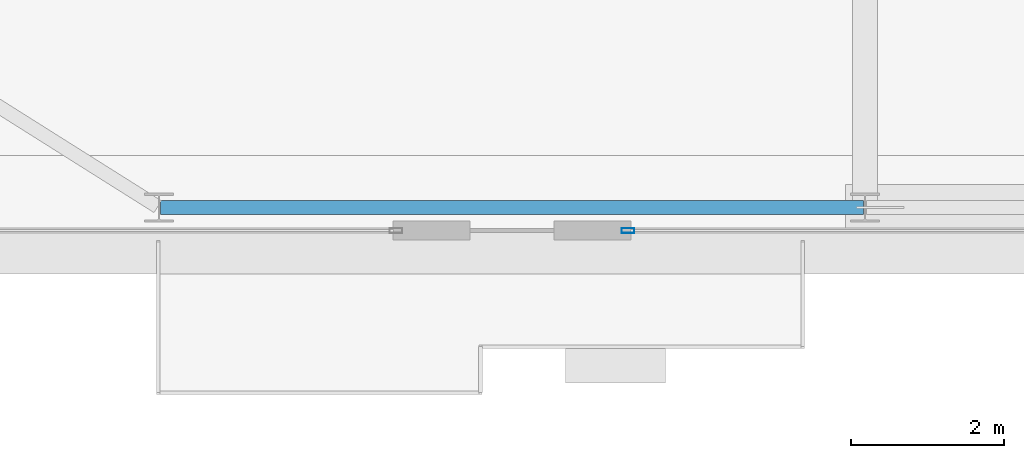
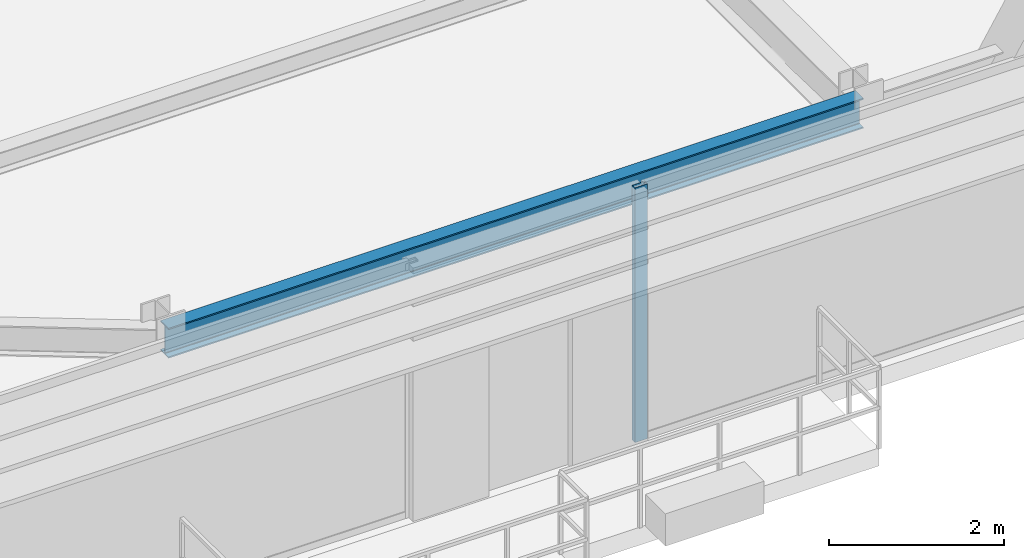
# One storey, part 6 of 34: 1 beam, 1 member, 1 element without a shape of its own.
"""IFC4 building model written with IfcOpenShell, lengths in metres."""

from ifc_helpers import new_model, si_unit, direction, frame, origin, origin_2d, place, context, subcontext, project, spatial, hollow_rectangle, i_section, extrude, source, transform, mapped, material, layer, layer_set, material_profile, profile_set, type_object, type_shapes, element, aggregate, save


model = new_model("IFC4")

# Units and contexts
model_context = context("Model", 3, precision=1e-05, world=origin(), true_north=direction((0.0, 1.0)))
body_context = subcontext(model_context, "Body", "Model", "MODEL_VIEW")
ifc_project = project(units=[si_unit("LENGTHUNIT", "METRE"), si_unit("AREAUNIT", "SQUARE_METRE"), si_unit("VOLUMEUNIT", "CUBIC_METRE"), si_unit("PLANEANGLEUNIT", "RADIAN"), si_unit("MASSUNIT", "GRAM", prefix="KILO")], contexts=[model_context])

# Site, building, storey
site_placement = place(None, origin())
site = spatial("IfcSite", under=ifc_project, at=site_placement, CompositionType="ELEMENT")
building_placement = place(site_placement, origin())
building = spatial("IfcBuilding", under=site, at=building_placement, Name="Varnel Quay Broadcast Tower", CompositionType="ELEMENT")
storey_placement = place(building_placement, frame((0.0, 0.0, 161.0)))
storey = spatial("IfcBuildingStorey", under=building, at=storey_placement, Name="L39", CompositionType="ELEMENT", Elevation=161.0)

# Beam
ifc_material_1 = material(Name="Structural Steel CSA G40.21 350W", Category="steel")
ifc_material_profile_1 = material_profile(ifc_material_1, i_section(OverallWidth=0.180908203125, OverallDepth=0.4169921875, WebThickness=0.010986328125, FlangeThickness=0.018310546875, FilletRadius=0.011962890625, at=origin_2d()), Name="W410X85")
ifc_profile_set_1 = profile_set([ifc_material_profile_1], Name="Structural Steel CSA G40.21 350W")
beam_type = type_object("IfcBeamType", Name="Beam_W410X85", PredefinedType="SPANDREL", material=ifc_profile_set_1)
shared_shape_1 = source(origin(), body_context, "Body", "SweptSolid", [
    extrude(i_section(OverallWidth=0.180908203125, OverallDepth=0.4169921875, WebThickness=0.010986328125, FlangeThickness=0.018310546875, FilletRadius=0.011962890625, at=origin_2d()), origin(), (0.0, 0.0, 1.0), 9.159912109375),
])
type_shapes(beam_type, [shared_shape_1])
beam_placement = place(storey_placement, frame((15.6201171875, 7.64990234375, 3.341552734375), z_axis=(1.0, 0.0, 0.0), x_axis=(0.0, 1.0, 0.0)))
element("IfcBeam", 1, at=beam_placement, inside=storey, type_object=beam_type, Name="L39 South Spandrel TC-S1-TC-S2", PredefinedType="SPANDREL", context=body_context, shape_type="MappedRepresentation", body=[
    mapped(shared_shape_1, transform((0.0, 0.0, 0.0), x_axis=(1.0, 0.0, 0.0), y_axis=(0.0, 1.0, 0.0), z_axis=(0.0, 0.0, 1.0), scale=1.0)),
])

# Curtain wall, member
ifc_material_2 = material(Name="Anodised Bronze Aluminium 6063-T6", Category="aluminium")
ifc_layer = layer(ifc_material_2, 0.18994140625, Name="Anodised Bronze Aluminium 6063-T6")
ifc_layer_set = layer_set([ifc_layer], Name="Anodised Bronze Aluminium 6063-T6")
curtain_wall_type = type_object("IfcCurtainWallType", Name="CW_UpperTower", PredefinedType="NOTDEFINED", material=ifc_layer_set)
curtain_wall_placement = place(storey_placement, origin())
curtain_wall = element("IfcCurtainWall", 2, at=curtain_wall_placement, inside=storey, type_object=curtain_wall_type, Name="L39 South Unitised Curtain Wall 2", PredefinedType="NOTDEFINED")
ifc_material_profile_2 = material_profile(ifc_material_2, hollow_rectangle(XDim=0.06494140625, YDim=0.1650390625, WallThickness=0.00341796875, at=origin_2d()), Name="ALU65X165X3.5")
ifc_profile_set_2 = profile_set([ifc_material_profile_2], Name="Anodised Bronze Aluminium 6063-T6")
member_type = type_object("IfcMemberType", Name="Mull_CWS-03", PredefinedType="MULLION", material=ifc_profile_set_2)
shared_shape_2 = source(origin(), body_context, "Body", "SweptSolid", [
    extrude(hollow_rectangle(XDim=0.06494140625, YDim=0.1650390625, WallThickness=0.00341796875, at=origin_2d()), origin(), (0.0, 0.0, 1.0), 3.550048828125),
])
type_shapes(member_type, [shared_shape_2])
member_placement = place(storey_placement, frame((21.71240234375, 7.35009765625, 0.0), z_axis=(0.0, 0.0, 1.0), x_axis=(0.0, 1.0, 0.0)))
member = element("IfcMember", 3, at=member_placement, type_object=member_type, Name="CWS-03 mullion 1", PredefinedType="MULLION", context=body_context, shape_type="MappedRepresentation", body=[
    mapped(shared_shape_2, transform((0.0, 0.0, 0.0), x_axis=(1.0, 0.0, 0.0), y_axis=(0.0, 1.0, 0.0), z_axis=(0.0, 0.0, 1.0), scale=1.0)),
])
aggregate(curtain_wall, [member])

save(model, "model.ifc")
